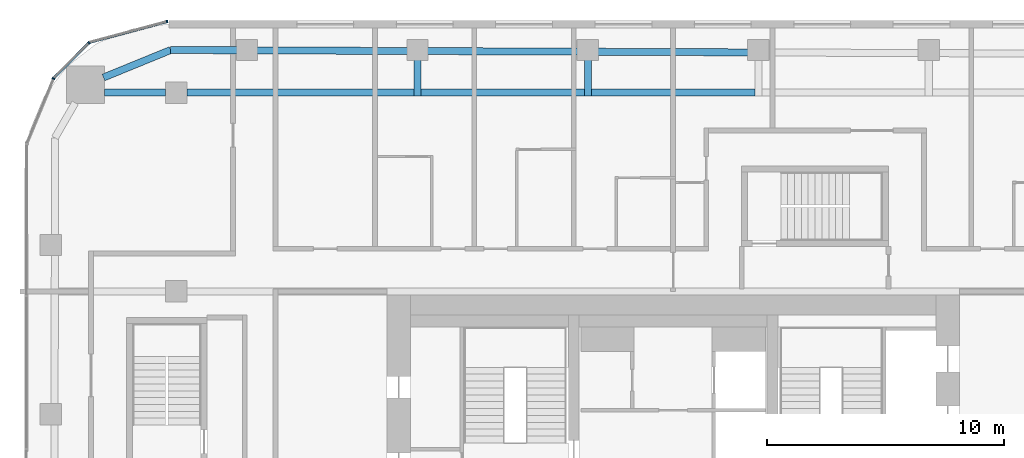
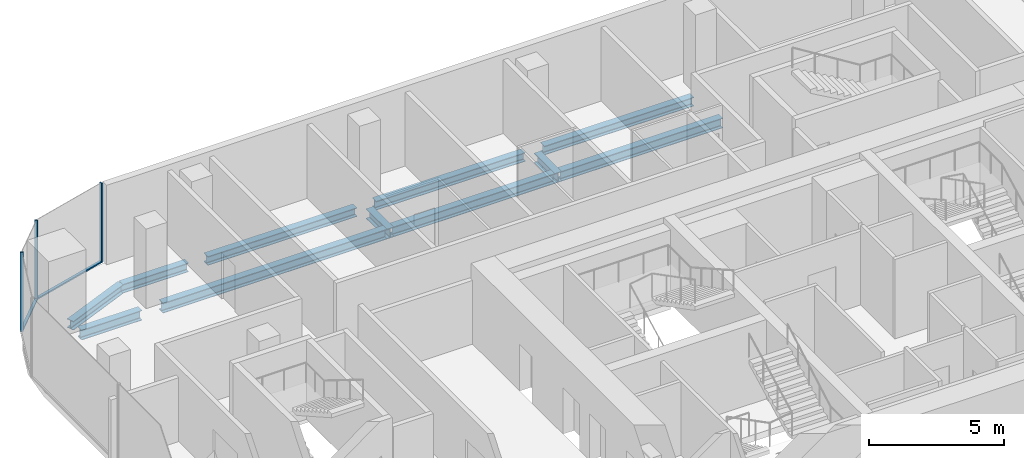
# One storey, part 10 of 23: 11 beams, 5 members, 3 elements without a shape of their own.
"""IFC4 building model written with IfcOpenShell, lengths in metres."""

from ifc_helpers import new_model, si_unit, direction, frame, origin, origin_2d, place, context, subcontext, project, spatial, rectangle, i_section, extrude, material, layer, layer_set, material_profile, profile_set, type_object, element, aggregate, save


model = new_model("IFC4")

# Units and contexts
model_context = context("Model", 3, precision=1e-05, world=origin(), true_north=direction((0.0, 1.0)))
body_context = subcontext(model_context, "Body", "Model", "MODEL_VIEW")
ifc_project = project(units=[si_unit("LENGTHUNIT", "METRE"), si_unit("AREAUNIT", "SQUARE_METRE"), si_unit("VOLUMEUNIT", "CUBIC_METRE"), si_unit("PLANEANGLEUNIT", "RADIAN"), si_unit("MASSUNIT", "GRAM", prefix="KILO")], contexts=[model_context])

# Site, building, storey
site_placement = place(None, origin())
site = spatial("IfcSite", under=ifc_project, at=site_placement, CompositionType="ELEMENT")
building_placement = place(site_placement, origin())
building = spatial("IfcBuilding", under=site, at=building_placement, Name="Marenta Gate Hotel Tower", CompositionType="ELEMENT")
storey_placement = place(building_placement, frame((0.0, 0.0, 112.10009765625)))
storey = spatial("IfcBuildingStorey", under=building, at=storey_placement, Name="L24", CompositionType="ELEMENT", Elevation=112.10009765625)

# Beams
ifc_material_1 = material(Name="Steel S355", Category="steel")
ifc_material_profile_1 = material_profile(ifc_material_1, i_section(OverallWidth=0.300048828125, OverallDepth=0.39990234375, WebThickness=0.013427734375, FlangeThickness=0.02392578125, FilletRadius=0.027099609375, at=origin_2d()), Name="HEB 400")
ifc_profile_set_1 = profile_set([ifc_material_profile_1], Name="Steel S355")
beam_type_1 = type_object("IfcBeamType", Name="Edge beam HEB 400", PredefinedType="SPANDREL", material=ifc_profile_set_1)
beam_1_placement = place(storey_placement, frame((-24.072509765625, 25.839111328125, -0.460205078125), z_axis=(0.925565978946, 0.378586342356, 0.0), x_axis=(-0.378586342356, 0.925565978946, 0.0)))
element("IfcBeam", 1, at=beam_1_placement, inside=storey, type_object=beam_type_1, Name="L24-EB-12", PredefinedType="SPANDREL", context=body_context, shape_type="SweptSolid", body=[
    extrude(i_section(OverallWidth=0.300048828125, OverallDepth=0.39990234375, WebThickness=0.013427734375, FlangeThickness=0.02392578125, FilletRadius=0.027099609375, at=origin_2d()), origin(), (0.0, 0.0, 1.0), 3.06640625),
])
beam_2_placement = place(storey_placement, frame((-21.234375, 27.0, -0.460205078125), z_axis=(0.999991706293, -0.004072756516, 0.0), x_axis=(0.004072756516, 0.999991706293, 0.0)))
element("IfcBeam", 2, at=beam_2_placement, inside=storey, type_object=beam_type_1, Name="L24-EB-13", PredefinedType="SPANDREL", context=body_context, shape_type="SweptSolid", body=[
    extrude(i_section(OverallWidth=0.300048828125, OverallDepth=0.39990234375, WebThickness=0.013427734375, FlangeThickness=0.02392578125, FilletRadius=0.027099609375, at=origin_2d()), origin(), (0.0, 0.0, 1.0), 2.8173828125),
])
beam_3_placement = place(storey_placement, frame((-17.596923828125, 26.985107421875, -0.460205078125), z_axis=(0.999991780748, -0.00405443424, 0.0), x_axis=(0.00405443424, 0.999991780748, 0.0)))
element("IfcBeam", 3, at=beam_3_placement, inside=storey, type_object=beam_type_1, Name="L24-EB-14", PredefinedType="SPANDREL", context=body_context, shape_type="SweptSolid", body=[
    extrude(i_section(OverallWidth=0.300048828125, OverallDepth=0.39990234375, WebThickness=0.013427734375, FlangeThickness=0.02392578125, FilletRadius=0.027099609375, at=origin_2d()), origin(), (0.0, 0.0, 1.0), 6.3828125),
])
beam_4_placement = place(storey_placement, frame((-10.39404296875, 26.955810546875, -0.460205078125), z_axis=(0.999991624297, -0.004092839529, 0.0), x_axis=(0.004092839529, 0.999991624297, 0.0)))
element("IfcBeam", 4, at=beam_4_placement, inside=storey, type_object=beam_type_1, Name="L24-EB-15", PredefinedType="SPANDREL", context=body_context, shape_type="SweptSolid", body=[
    extrude(i_section(OverallWidth=0.300048828125, OverallDepth=0.39990234375, WebThickness=0.013427734375, FlangeThickness=0.02392578125, FilletRadius=0.027099609375, at=origin_2d()), origin(), (0.0, 0.0, 1.0), 6.382568359375),
])
beam_5_placement = place(storey_placement, frame((-3.19140625, 26.926513671875, -0.460205078125), z_axis=(0.999991624938, -0.004092682982, 0.0), x_axis=(0.004092682982, 0.999991624938, 0.0)))
element("IfcBeam", 5, at=beam_5_placement, inside=storey, type_object=beam_type_1, Name="L24-EB-16", PredefinedType="SPANDREL", context=body_context, shape_type="SweptSolid", body=[
    extrude(i_section(OverallWidth=0.300048828125, OverallDepth=0.39990234375, WebThickness=0.013427734375, FlangeThickness=0.02392578125, FilletRadius=0.027099609375, at=origin_2d()), origin(), (0.0, 0.0, 1.0), 6.3828125),
])
ifc_material_2 = material(Name="Steel S355", Category="steel")
ifc_material_profile_2 = material_profile(ifc_material_2, i_section(OverallWidth=0.300048828125, OverallDepth=0.449951171875, WebThickness=0.013916015625, FlangeThickness=0.02587890625, FilletRadius=0.027099609375, at=origin_2d()), Name="HEB 450")
ifc_profile_set_2 = profile_set([ifc_material_profile_2], Name="Steel S355")
beam_type_2 = type_object("IfcBeamType", Name="Girder HEB 450", PredefinedType="BEAM", material=ifc_profile_set_2)
beam_6_placement = place(storey_placement, frame((-24.035400390625, 25.199951171875, -0.485107421875), z_axis=(1.0, 0.0, 0.0), x_axis=(0.0, 1.0, 0.0)))
element("IfcBeam", 6, at=beam_6_placement, inside=storey, type_object=beam_type_2, Name="L24-GD-29", PredefinedType="BEAM", context=body_context, shape_type="SweptSolid", body=[
    extrude(i_section(OverallWidth=0.300048828125, OverallDepth=0.449951171875, WebThickness=0.013916015625, FlangeThickness=0.02587890625, FilletRadius=0.027099609375, at=origin_2d()), origin(), (0.0, 0.0, 1.0), 2.58544921875),
])
beam_7_placement = place(storey_placement, frame((-20.550048828125, 25.199951171875, -0.485107421875), z_axis=(1.0, 0.0, 0.0), x_axis=(0.0, 1.0, 0.0)))
element("IfcBeam", 7, at=beam_7_placement, inside=storey, type_object=beam_type_2, Name="L24-GD-30", PredefinedType="BEAM", context=body_context, shape_type="SweptSolid", body=[
    extrude(i_section(OverallWidth=0.300048828125, OverallDepth=0.449951171875, WebThickness=0.013916015625, FlangeThickness=0.02587890625, FilletRadius=0.027099609375, at=origin_2d()), origin(), (0.0, 0.0, 1.0), 9.595947265625),
])
beam_8_placement = place(storey_placement, frame((-10.654052734375, 25.199951171875, -0.485107421875), z_axis=(1.0, 0.0, 0.0), x_axis=(0.0, 1.0, 0.0)))
element("IfcBeam", 8, at=beam_8_placement, inside=storey, type_object=beam_type_2, Name="L24-GD-31", PredefinedType="BEAM", context=body_context, shape_type="SweptSolid", body=[
    extrude(i_section(OverallWidth=0.300048828125, OverallDepth=0.449951171875, WebThickness=0.013916015625, FlangeThickness=0.02587890625, FilletRadius=0.027099609375, at=origin_2d()), origin(), (0.0, 0.0, 1.0), 6.902587890625),
])
beam_9_placement = place(storey_placement, frame((-3.451416015625, 25.199951171875, -0.485107421875), z_axis=(1.0, 0.0, 0.0), x_axis=(0.0, 1.0, 0.0)))
element("IfcBeam", 9, at=beam_9_placement, inside=storey, type_object=beam_type_2, Name="L24-GD-32", PredefinedType="BEAM", context=body_context, shape_type="SweptSolid", body=[
    extrude(i_section(OverallWidth=0.300048828125, OverallDepth=0.449951171875, WebThickness=0.013916015625, FlangeThickness=0.02587890625, FilletRadius=0.027099609375, at=origin_2d()), origin(), (0.0, 0.0, 1.0), 6.90283203125),
])
ifc_material_3 = material(Name="Steel S355", Category="steel")
ifc_material_profile_3 = material_profile(ifc_material_3, i_section(OverallWidth=0.300048828125, OverallDepth=0.449951171875, WebThickness=0.013916015625, FlangeThickness=0.02587890625, FilletRadius=0.027099609375, at=origin_2d()), Name="HEB 450")
ifc_profile_set_3 = profile_set([ifc_material_profile_3], Name="Steel S355")
beam_type_3 = type_object("IfcBeamType", Name="Girder bracket HEB 450", PredefinedType="BEAM", material=ifc_profile_set_3)
for number, where, z_axis, x_axis, name in (
    (10, (-10.80419921875, 25.050048828125, -0.485107421875), (0.0, 1.0, 0.0), (-1.0, 0.0, 0.0), "L24-GS-1"),
    (11, (-3.601318359375, 25.050048828125, -0.485107421875), (0.0, 1.0, 0.0), (-1.0, 0.0, 0.0), "L24-GS-2"),
):
    element("IfcBeam", number, at=place(storey_placement, frame(where, z_axis=z_axis, x_axis=x_axis)), inside=storey, type_object=beam_type_3, Name=name, PredefinedType="BEAM", context=body_context, shape_type="SweptSolid", body=[
        extrude(i_section(OverallWidth=0.300048828125, OverallDepth=0.449951171875, WebThickness=0.013916015625, FlangeThickness=0.02587890625, FilletRadius=0.027099609375, at=origin_2d()), origin(), (0.0, 0.0, 1.0), 1.5400390625),
    ])

# Curtain wall, member
ifc_material_4 = material(Name="Tinted insulated glass in bronze anodised frame", Category="glass")
ifc_layer = layer(ifc_material_4, 0.1201171875)
ifc_layer_set = layer_set([ifc_layer], Name="Tinted insulated glass in bronze anodised frame")
curtain_wall_type = type_object("IfcCurtainWallType", Name="Tower unitised curtain wall CW1", PredefinedType="NOTDEFINED", material=ifc_layer_set)
curtain_wall_1_placement = place(storey_placement, origin())
curtain_wall_1 = element("IfcCurtainWall", 12, at=curtain_wall_1_placement, inside=storey, type_object=curtain_wall_type, Name="CW1 run G00", PredefinedType="NOTDEFINED")
ifc_material_5 = material(Name="Bronze anodised aluminium", Category="aluminium")
ifc_material_profile_4 = material_profile(ifc_material_5, rectangle(XDim=0.1201171875, YDim=0.06005859375, at=origin_2d()), Name="Mullion CW1 60x120 bronze anodised aluminium")
ifc_profile_set_4 = profile_set([ifc_material_profile_4], Name="Bronze anodised aluminium")
member_type_1 = type_object("IfcMemberType", Name="Mullion CW1 60x120 bronze anodised aluminium", PredefinedType="MULLION", material=ifc_profile_set_4)
member_1_placement = place(storey_placement, frame((-21.385498046875, 28.203125, 0.0), z_axis=(0.0, 0.0, 1.0), x_axis=(0.258801234873, -0.96593059835, 0.0)))
member_1 = element("IfcMember", 13, at=member_1_placement, type_object=member_type_1, Name="CW1 mullion 1", PredefinedType="MULLION", context=body_context, shape_type="SweptSolid", body=[
    extrude(rectangle(XDim=0.1201171875, YDim=0.06005859375, at=origin_2d()), origin(), (0.0, 0.0, 1.0), 3.599853515625),
])

curtain_wall_2_placement = place(storey_placement, origin())
curtain_wall_2 = element("IfcCurtainWall", 14, at=curtain_wall_2_placement, inside=storey, type_object=curtain_wall_type, Name="CW1 run G01", PredefinedType="NOTDEFINED")
member_2_placement = place(storey_placement, frame((-24.68798828125, 27.302978515625, 0.0), z_axis=(0.0, 0.0, 1.0), x_axis=(0.707106781187, -0.707106781187, 0.0)))
member_2 = element("IfcMember", 15, at=member_2_placement, type_object=member_type_1, Name="CW1 mullion 1", PredefinedType="MULLION", context=body_context, shape_type="SweptSolid", body=[
    extrude(rectangle(XDim=0.1201171875, YDim=0.06005859375, at=origin_2d()), origin(), (0.0, 0.0, 1.0), 3.599853515625),
])

curtain_wall_3_placement = place(storey_placement, origin())
curtain_wall_3 = element("IfcCurtainWall", 16, at=curtain_wall_3_placement, inside=storey, type_object=curtain_wall_type, Name="CW1 run G02", PredefinedType="NOTDEFINED")
member_3_placement = place(storey_placement, frame((-26.183837890625, 25.790771484375, 0.0), z_axis=(0.0, 0.0, 1.0), x_axis=(0.923884278178, -0.382671975111, 0.0)))
member_3 = element("IfcMember", 17, at=member_3_placement, type_object=member_type_1, Name="CW1 mullion 1", PredefinedType="MULLION", context=body_context, shape_type="SweptSolid", body=[
    extrude(rectangle(XDim=0.1201171875, YDim=0.06005859375, at=origin_2d()), origin(), (0.0, 0.0, 1.0), 3.599853515625),
])
aggregate(curtain_wall_3, [member_3])

# Member
ifc_material_6 = material(Name="Bronze anodised aluminium", Category="aluminium")
ifc_material_profile_5 = material_profile(ifc_material_6, rectangle(XDim=0.1201171875, YDim=0.06005859375, at=origin_2d()), Name="Transom CW1 60x120 bronze anodised aluminium")
ifc_profile_set_5 = profile_set([ifc_material_profile_5], Name="Bronze anodised aluminium")
member_type_2 = type_object("IfcMemberType", Name="Transom CW1 60x120 bronze anodised aluminium", PredefinedType="USERDEFINED", material=ifc_profile_set_5)
member_4_placement = place(storey_placement, frame((-21.41455078125, 28.195556640625, 0.02978515625), z_axis=(-0.965932192411, -0.258795285243, 0.0), x_axis=(0.258795285243, -0.965932192411, 0.0)))
member_4 = element("IfcMember", 18, at=member_4_placement, type_object=member_type_2, Name="CW1 transom 1.1", ObjectType="TRANSOM", PredefinedType="USERDEFINED", context=body_context, shape_type="SweptSolid", body=[
    extrude(rectangle(XDim=0.1201171875, YDim=0.06005859375, at=origin_2d()), origin(), (0.0, 0.0, 1.0), 3.366943359375),
])

aggregate(curtain_wall_1, [member_1, member_4])

member_5_placement = place(storey_placement, frame((-24.709228515625, 27.28173828125, 0.02978515625), z_axis=(-0.707106781187, -0.707106781187, 0.0), x_axis=(0.707106781187, -0.707106781187, 0.0)))
member_5 = element("IfcMember", 19, at=member_5_placement, type_object=member_type_2, Name="CW1 transom 1.1", ObjectType="TRANSOM", PredefinedType="USERDEFINED", context=body_context, shape_type="SweptSolid", body=[
    extrude(rectangle(XDim=0.1201171875, YDim=0.06005859375, at=origin_2d()), origin(), (0.0, 0.0, 1.0), 2.069091796875),
])

aggregate(curtain_wall_2, [member_2, member_5])

save(model, "model.ifc")
